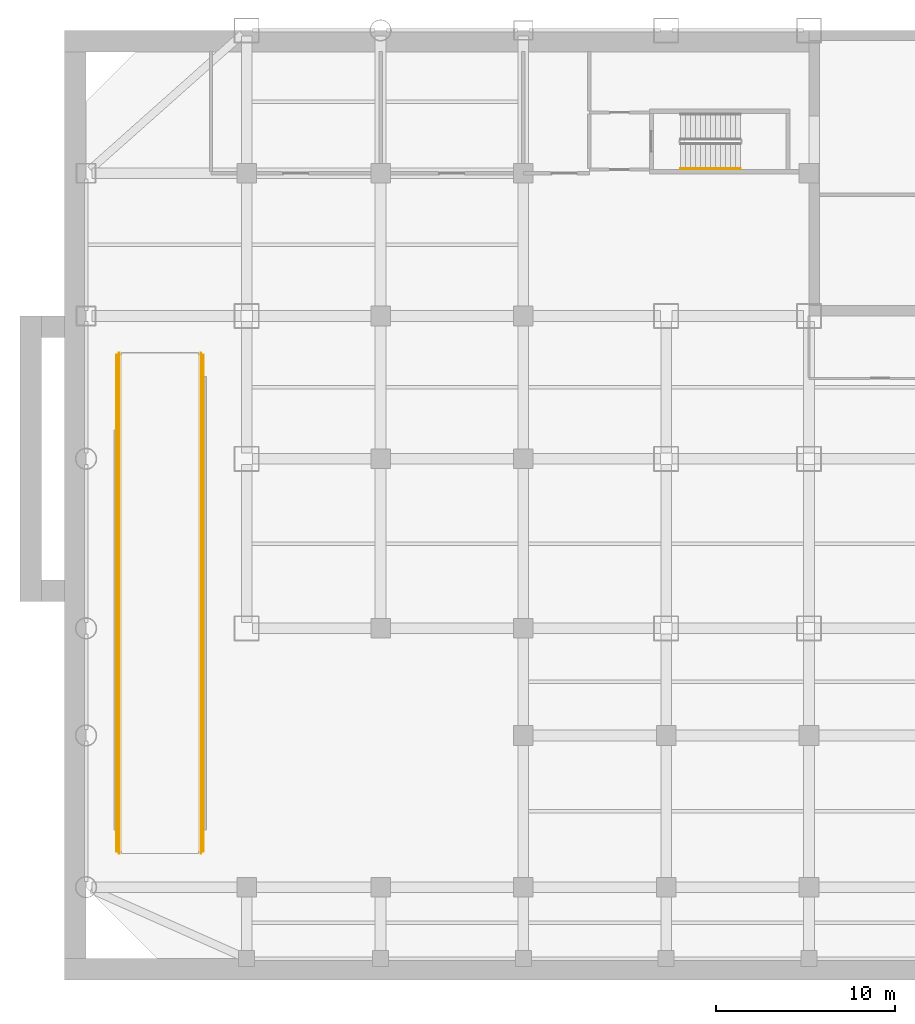
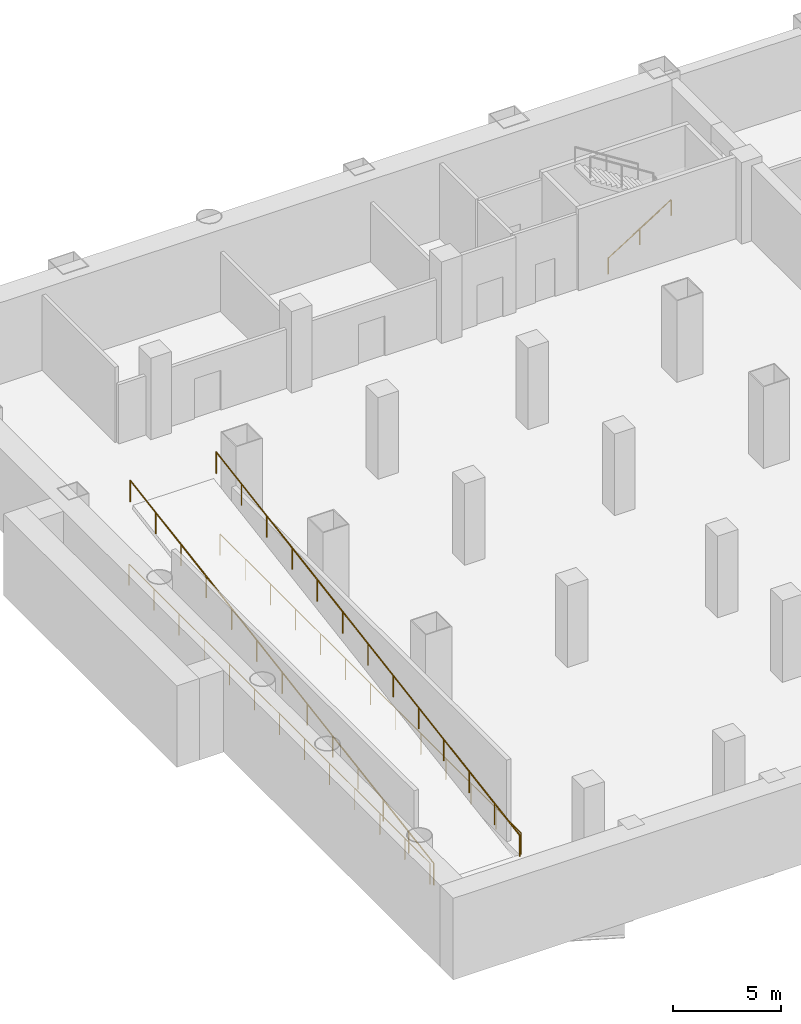
# One storey, part 6 of 8: 5 railings.
"""IFC4 building model written with IfcOpenShell, lengths in metres."""

from ifc_helpers import new_model, si_unit, direction, frame, origin, origin_2d, place, context, subcontext, project, spatial, circle, extrude, material, type_object, element, save


model = new_model("IFC4")

# Units and contexts
model_context = context("Model", 3, precision=1e-05, world=origin(), true_north=direction((0.0, 1.0)))
body_context = subcontext(model_context, "Body", "Model", "MODEL_VIEW")
ifc_project = project(units=[si_unit("LENGTHUNIT", "METRE"), si_unit("AREAUNIT", "SQUARE_METRE"), si_unit("VOLUMEUNIT", "CUBIC_METRE"), si_unit("PLANEANGLEUNIT", "RADIAN"), si_unit("MASSUNIT", "GRAM", prefix="KILO")], contexts=[model_context])

# Site, building, storey
site_placement = place(None, origin())
site = spatial("IfcSite", under=ifc_project, at=site_placement, CompositionType="ELEMENT")
building_placement = place(site_placement, origin())
building = spatial("IfcBuilding", under=site, at=building_placement, Name="Qianrong Seaharbour Tower", CompositionType="ELEMENT")
storey_placement = place(building_placement, frame((0.0, 0.0, -9.199951171875)))
storey = spatial("IfcBuildingStorey", under=building, at=storey_placement, Name="B02", CompositionType="ELEMENT", Elevation=-9.199951171875)

# Railings
ifc_material_1 = material(Name="Galvanized painted steel SN400B stair guard", Category="steel")
railing_type_1 = type_object("IfcRailingType", Name="RAIL-STAIR-GUARD-1220", PredefinedType="GUARDRAIL", material=ifc_material_1)
for number, where, name in (
    (1, (6.580078125, 6.0, 0.0), "B02 Car Park Ramp Well East Safety Guard"),
    (2, (1.719970703125, 6.0, 0.0), "B02 Car Park Ramp Well West Safety Guard"),
):
    element("IfcRailing", number, at=place(storey_placement, frame(where)), inside=storey, type_object=railing_type_1, Name=name, PredefinedType="GUARDRAIL", context=body_context, shape_type="SweptSolid", body=[
        extrude(circle(Radius=0.02392578125, at=origin_2d()), frame((0.0, 0.0, 1.19580078125), z_axis=(0.0, 1.0, 0.0), x_axis=(-1.0, 0.0, 0.0)), (0.0, 0.0, 1.0), 27.800048828125),
        extrude(circle(Radius=0.02099609375, at=origin_2d()), origin(), (0.0, 0.0, 1.0), 1.171875),
        extrude(circle(Radius=0.02099609375, at=origin_2d()), frame((0.0, 2.316650390625, 0.0)), (0.0, 0.0, 1.0), 1.171875),
        extrude(circle(Radius=0.02099609375, at=origin_2d()), frame((0.0, 4.63330078125, 0.0)), (0.0, 0.0, 1.0), 1.171875),
        extrude(circle(Radius=0.02099609375, at=origin_2d()), frame((0.0, 6.949951171875, 0.0)), (0.0, 0.0, 1.0), 1.171875),
        extrude(circle(Radius=0.02099609375, at=origin_2d()), frame((0.0, 9.2666015625, 0.0)), (0.0, 0.0, 1.0), 1.171875),
        extrude(circle(Radius=0.02099609375, at=origin_2d()), frame((0.0, 11.583251953125, 0.0)), (0.0, 0.0, 1.0), 1.171875),
        extrude(circle(Radius=0.02099609375, at=origin_2d()), frame((0.0, 13.89990234375, 0.0)), (0.0, 0.0, 1.0), 1.171875),
        extrude(circle(Radius=0.02099609375, at=origin_2d()), frame((0.0, 16.216796875, 0.0)), (0.0, 0.0, 1.0), 1.171875),
        extrude(circle(Radius=0.02099609375, at=origin_2d()), frame((0.0, 18.533447265625, 0.0)), (0.0, 0.0, 1.0), 1.171875),
        extrude(circle(Radius=0.02099609375, at=origin_2d()), frame((0.0, 20.85009765625, 0.0)), (0.0, 0.0, 1.0), 1.171875),
        extrude(circle(Radius=0.02099609375, at=origin_2d()), frame((0.0, 23.166748046875, 0.0)), (0.0, 0.0, 1.0), 1.171875),
        extrude(circle(Radius=0.02099609375, at=origin_2d()), frame((0.0, 25.4833984375, 0.0)), (0.0, 0.0, 1.0), 1.171875),
        extrude(circle(Radius=0.02099609375, at=origin_2d()), frame((0.0, 27.800048828125, 0.0)), (0.0, 0.0, 1.0), 1.171875),
    ])
railing_1_placement = place(storey_placement, frame((1.860107421875, 5.8798828125, 0.0)))
element("IfcRailing", 3, at=railing_1_placement, inside=storey, type_object=railing_type_1, Name="B02 Vehicular Ramp Slab Side Safety Guard W", PredefinedType="GUARDRAIL", context=body_context, shape_type="SweptSolid", body=[
    extrude(circle(Radius=0.02392578125, at=origin_2d()), frame((0.0, 0.0, 1.19580078125), z_axis=(0.0, 0.986810097491, 0.161882153091), x_axis=(-1.0, 0.0, 0.0)), (0.0, 0.0, 1.0), 28.414794921875),
    extrude(circle(Radius=0.02099609375, at=origin_2d()), origin(), (0.0, 0.0, 1.0), 1.171875),
    extrude(circle(Radius=0.02099609375, at=origin_2d()), frame((0.0, 2.336669921875, 0.38330078125)), (0.0, 0.0, 1.0), 1.171875),
    extrude(circle(Radius=0.02099609375, at=origin_2d()), frame((0.0, 4.67333984375, 0.7666015625)), (0.0, 0.0, 1.0), 1.171875),
    extrude(circle(Radius=0.02099609375, at=origin_2d()), frame((0.0, 7.010009765625, 1.14990234375)), (0.0, 0.0, 1.0), 1.171875),
    extrude(circle(Radius=0.02099609375, at=origin_2d()), frame((0.0, 9.3466796875, 1.533203125)), (0.0, 0.0, 1.0), 1.171875),
    extrude(circle(Radius=0.02099609375, at=origin_2d()), frame((0.0, 11.683349609375, 1.91650390625)), (0.0, 0.0, 1.0), 1.171875),
    extrude(circle(Radius=0.02099609375, at=origin_2d()), frame((0.0, 14.02001953125, 2.2998046875)), (0.0, 0.0, 1.0), 1.171875),
    extrude(circle(Radius=0.02099609375, at=origin_2d()), frame((0.0, 16.356689453125, 2.683349609375)), (0.0, 0.0, 1.0), 1.171875),
    extrude(circle(Radius=0.02099609375, at=origin_2d()), frame((0.0, 18.693359375, 3.066650390625)), (0.0, 0.0, 1.0), 1.171875),
    extrude(circle(Radius=0.02099609375, at=origin_2d()), frame((0.0, 21.030029296875, 3.449951171875)), (0.0, 0.0, 1.0), 1.171875),
    extrude(circle(Radius=0.02099609375, at=origin_2d()), frame((0.0, 23.36669921875, 3.833251953125)), (0.0, 0.0, 1.0), 1.171875),
    extrude(circle(Radius=0.02099609375, at=origin_2d()), frame((0.0, 25.703369140625, 4.216552734375)), (0.0, 0.0, 1.0), 1.171875),
    extrude(circle(Radius=0.02099609375, at=origin_2d()), frame((0.0, 28.0400390625, 4.599853515625)), (0.0, 0.0, 1.0), 1.171875),
])
railing_2_placement = place(storey_placement, frame((6.43994140625, 5.8798828125, 0.0)))
element("IfcRailing", 4, at=railing_2_placement, inside=storey, type_object=railing_type_1, Name="B02 Vehicular Ramp Slab Side Safety Guard E", PredefinedType="GUARDRAIL", context=body_context, shape_type="SweptSolid", body=[
    extrude(circle(Radius=0.02392578125, at=origin_2d()), frame((0.0, 0.0, 1.19580078125), z_axis=(0.0, 0.986810097491, 0.161882153091), x_axis=(-1.0, 0.0, 0.0)), (0.0, 0.0, 1.0), 28.414794921875),
    extrude(circle(Radius=0.02099609375, at=origin_2d()), origin(), (0.0, 0.0, 1.0), 1.171875),
    extrude(circle(Radius=0.02099609375, at=origin_2d()), frame((0.0, 2.336669921875, 0.38330078125)), (0.0, 0.0, 1.0), 1.171875),
    extrude(circle(Radius=0.02099609375, at=origin_2d()), frame((0.0, 4.67333984375, 0.7666015625)), (0.0, 0.0, 1.0), 1.171875),
    extrude(circle(Radius=0.02099609375, at=origin_2d()), frame((0.0, 7.010009765625, 1.14990234375)), (0.0, 0.0, 1.0), 1.171875),
    extrude(circle(Radius=0.02099609375, at=origin_2d()), frame((0.0, 9.3466796875, 1.533203125)), (0.0, 0.0, 1.0), 1.171875),
    extrude(circle(Radius=0.02099609375, at=origin_2d()), frame((0.0, 11.683349609375, 1.91650390625)), (0.0, 0.0, 1.0), 1.171875),
    extrude(circle(Radius=0.02099609375, at=origin_2d()), frame((0.0, 14.02001953125, 2.2998046875)), (0.0, 0.0, 1.0), 1.171875),
    extrude(circle(Radius=0.02099609375, at=origin_2d()), frame((0.0, 16.356689453125, 2.683349609375)), (0.0, 0.0, 1.0), 1.171875),
    extrude(circle(Radius=0.02099609375, at=origin_2d()), frame((0.0, 18.693359375, 3.066650390625)), (0.0, 0.0, 1.0), 1.171875),
    extrude(circle(Radius=0.02099609375, at=origin_2d()), frame((0.0, 21.030029296875, 3.449951171875)), (0.0, 0.0, 1.0), 1.171875),
    extrude(circle(Radius=0.02099609375, at=origin_2d()), frame((0.0, 23.36669921875, 3.833251953125)), (0.0, 0.0, 1.0), 1.171875),
    extrude(circle(Radius=0.02099609375, at=origin_2d()), frame((0.0, 25.703369140625, 4.216552734375)), (0.0, 0.0, 1.0), 1.171875),
    extrude(circle(Radius=0.02099609375, at=origin_2d()), frame((0.0, 28.0400390625, 4.599853515625)), (0.0, 0.0, 1.0), 1.171875),
])
ifc_material_2 = material(Name="Stainless steel SUS316L continuous handrail", Category="steel")
railing_type_2 = type_object("IfcRailingType", Name="RAIL-STAIR-HANDRAIL-900", PredefinedType="HANDRAIL", material=ifc_material_2)
railing_3_placement = place(storey_placement, frame((33.300048828125, 44.25, 0.1767578125)))
element("IfcRailing", 5, at=railing_3_placement, inside=storey, type_object=railing_type_2, Name="B02 BST-1 stair handrail 1", PredefinedType="HANDRAIL", context=body_context, shape_type="SweptSolid", body=[
    extrude(circle(Radius=0.02392578125, at=origin_2d()), frame((0.0, 0.0, 0.8759765625), z_axis=(0.845344368971, 0.0, 0.534221768416), x_axis=(0.0, 1.0, 0.0)), (0.0, 0.0, 1.0), 3.974609375),
    extrude(circle(Radius=0.02099609375, at=origin_2d()), origin(), (0.0, 0.0, 1.0), 0.851806640625),
    extrude(circle(Radius=0.02099609375, at=origin_2d()), frame((1.679931640625, 0.0, 1.0615234375)), (0.0, 0.0, 1.0), 0.851806640625),
    extrude(circle(Radius=0.02099609375, at=origin_2d()), frame((3.35986328125, 0.0, 2.123291015625)), (0.0, 0.0, 1.0), 0.851806640625),
])

save(model, "model.ifc")
